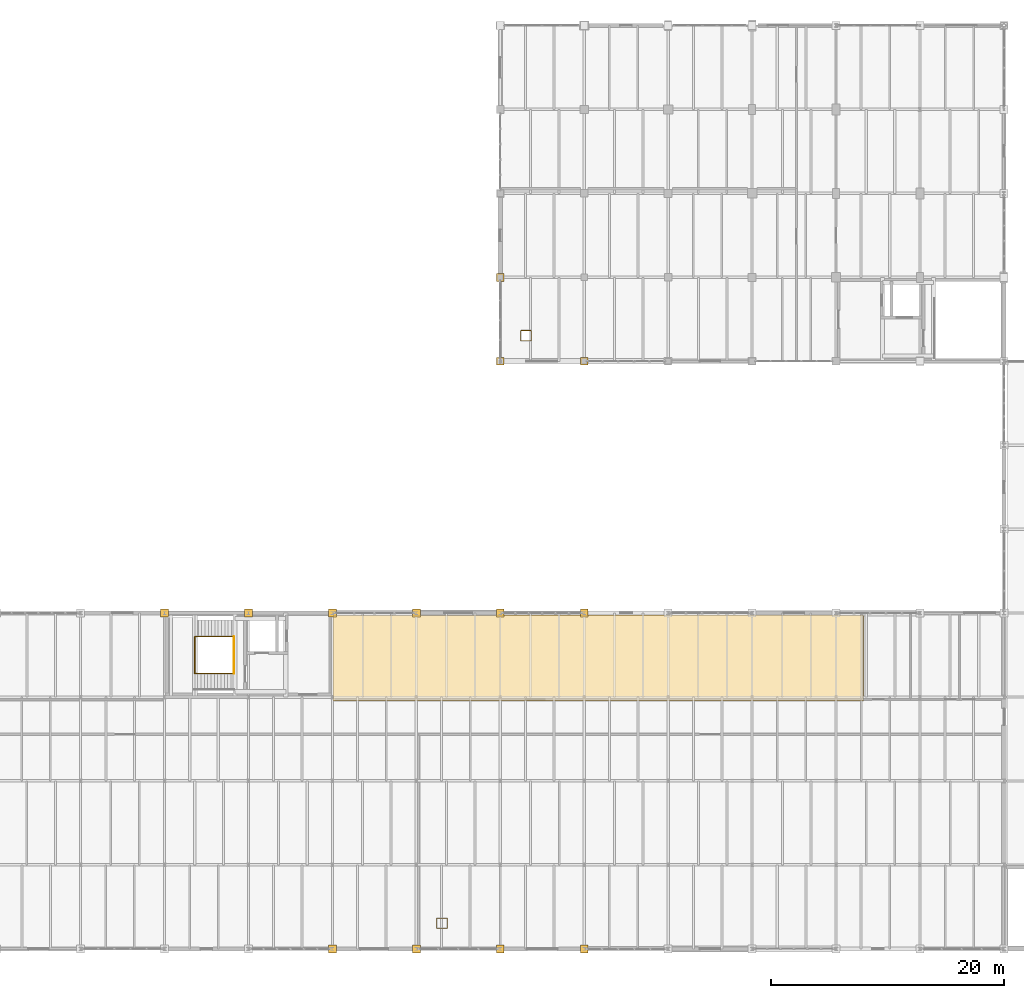
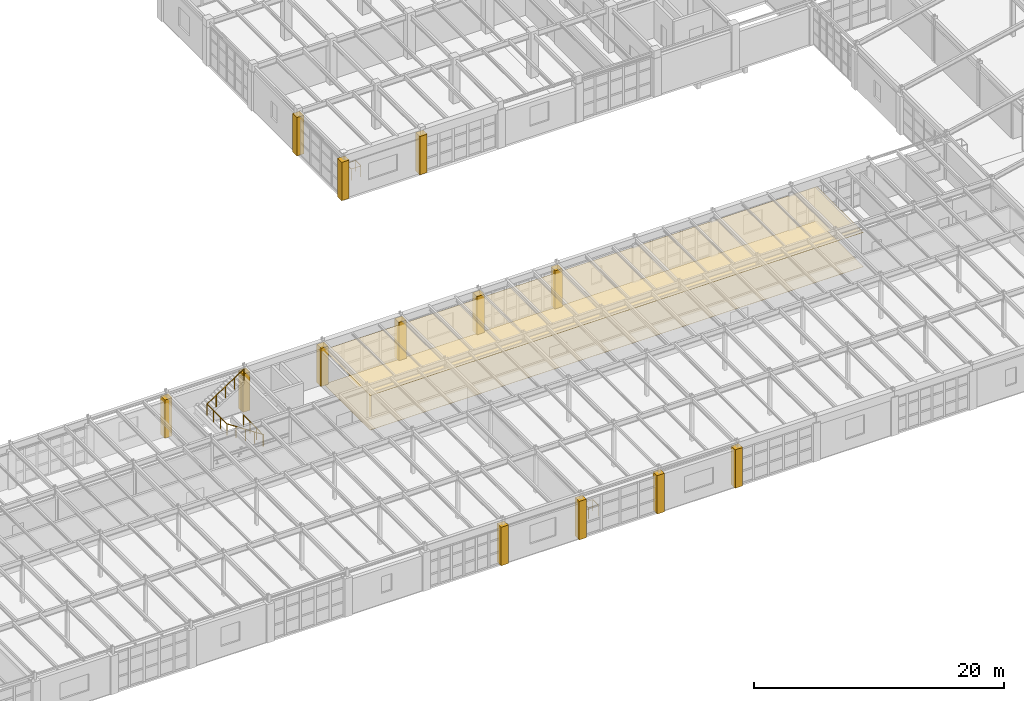
# One storey, part 135 of 137: 15 coverings, 4 railings.
"""IFC4 building model written with IfcOpenShell, lengths in metres."""

from ifc_helpers import new_model, si_unit, direction, frame, origin, origin_2d, place, context, subcontext, project, spatial, polyline, circle, outline, extrude, material, layer, layer_set, type_object, element, save


model = new_model("IFC4")

# Units and contexts
model_context = context("Model", 3, precision=1e-05, world=origin(), true_north=direction((0.0, 1.0)))
body_context = subcontext(model_context, "Body", "Model", "MODEL_VIEW")
ifc_project = project(units=[si_unit("LENGTHUNIT", "METRE"), si_unit("AREAUNIT", "SQUARE_METRE"), si_unit("VOLUMEUNIT", "CUBIC_METRE"), si_unit("PLANEANGLEUNIT", "RADIAN"), si_unit("MASSUNIT", "GRAM", prefix="KILO")], contexts=[model_context])

# Site, building, storey
site_placement = place(None, origin())
site = spatial("IfcSite", under=ifc_project, at=site_placement, CompositionType="ELEMENT")
building_placement = place(site_placement, origin())
building = spatial("IfcBuilding", under=site, at=building_placement, Name="Kemerveld Promenade Tramway Depot", CompositionType="ELEMENT")
storey_placement = place(building_placement, frame((0.0, 0.0, 5.39990234375)))
storey = spatial("IfcBuildingStorey", under=building, at=storey_placement, Name="L01", CompositionType="ELEMENT", Elevation=5.39990234375)

# Coverings
ifc_material_1 = material(Name="Perforated mineral-fibre acoustic ceiling")
ifc_layer_1 = layer(ifc_material_1, 0.02490234375)
ifc_layer_set_1 = layer_set([ifc_layer_1], Name="COV-CEIL-AC")
covering_type_1 = type_object("IfcCoveringType", Name="COV-CEIL-AC", PredefinedType="CEILING", material=ifc_layer_set_1)
covering_1_placement = place(storey_placement, frame((0.0, 0.0, 3.35498046875)))
element("IfcCovering", 1, at=covering_1_placement, inside=storey, type_object=covering_type_1, Name="CEIL-RM-L01-V4-LNG", PredefinedType="CEILING", context=body_context, shape_type="SweptSolid", body=[
    extrude(outline(polyline([(100.85009765625, 21.25), (146.35009765625, 21.25), (146.35009765625, 28.64990234375), (100.85009765625, 28.64990234375), (100.85009765625, 21.25)])), origin(), (0.0, 0.0, 1.0), 0.025146484375),
])
ifc_material_2 = material(Name="Dressed Harare granite ashlar cladding", Category="masonry")
ifc_layer_2 = layer(ifc_material_2, 0.050048828125)
ifc_layer_set_2 = layer_set([ifc_layer_2], Name="COV-CLAD-GRAN")
covering_type_2 = type_object("IfcCoveringType", Name="COV-CLAD-GRAN", PredefinedType="CLADDING", material=ifc_layer_set_2)
covering_2_placement = place(storey_placement, origin())
element("IfcCovering", 2, at=covering_2_placement, inside=storey, type_object=covering_type_2, Name="CLAD-PIER-L01-225", PredefinedType="CLADDING", context=body_context, shape_type="SweptSolid", body=[
    extrude(outline(polyline([(122.06005859375, -0.340087890625), (122.739990234375, -0.340087890625), (122.739990234375, 0.340087890625), (122.06005859375, 0.340087890625), (122.06005859375, -0.340087890625)])), origin(), (0.0, 0.0, 1.0), 3.75),
])
covering_3_placement = place(storey_placement, origin())
element("IfcCovering", 3, at=covering_3_placement, inside=storey, type_object=covering_type_2, Name="CLAD-PIER-L01-226", PredefinedType="CLADDING", context=body_context, shape_type="SweptSolid", body=[
    extrude(outline(polyline([(114.860107421875, -0.340087890625), (115.5400390625, -0.340087890625), (115.5400390625, 0.340087890625), (114.860107421875, 0.340087890625), (114.860107421875, -0.340087890625)])), origin(), (0.0, 0.0, 1.0), 3.75),
])
covering_4_placement = place(storey_placement, origin())
element("IfcCovering", 4, at=covering_4_placement, inside=storey, type_object=covering_type_2, Name="CLAD-PIER-L01-227", PredefinedType="CLADDING", context=body_context, shape_type="SweptSolid", body=[
    extrude(outline(polyline([(107.659912109375, -0.340087890625), (108.340087890625, -0.340087890625), (108.340087890625, 0.340087890625), (107.659912109375, 0.340087890625), (107.659912109375, -0.340087890625)])), origin(), (0.0, 0.0, 1.0), 3.75),
])
covering_5_placement = place(storey_placement, origin())
element("IfcCovering", 5, at=covering_5_placement, inside=storey, type_object=covering_type_2, Name="CLAD-PIER-L01-228", PredefinedType="CLADDING", context=body_context, shape_type="SweptSolid", body=[
    extrude(outline(polyline([(100.4599609375, -0.340087890625), (101.139892578125, -0.340087890625), (101.139892578125, 0.340087890625), (100.4599609375, 0.340087890625), (100.4599609375, -0.340087890625)])), origin(), (0.0, 0.0, 1.0), 3.75),
])
covering_6_placement = place(storey_placement, origin())
element("IfcCovering", 6, at=covering_6_placement, inside=storey, type_object=covering_type_2, Name="CLAD-PIER-L01-238", PredefinedType="CLADDING", context=body_context, shape_type="SweptSolid", body=[
    extrude(outline(polyline([(86.06005859375, 28.4599609375), (86.739990234375, 28.4599609375), (86.739990234375, 29.139892578125), (86.06005859375, 29.139892578125), (86.06005859375, 28.4599609375)])), origin(), (0.0, 0.0, 1.0), 3.75),
])
covering_7_placement = place(storey_placement, origin())
element("IfcCovering", 7, at=covering_7_placement, inside=storey, type_object=covering_type_2, Name="CLAD-PIER-L01-239", PredefinedType="CLADDING", context=body_context, shape_type="SweptSolid", body=[
    extrude(outline(polyline([(93.260009765625, 28.4599609375), (93.93994140625, 28.4599609375), (93.93994140625, 29.139892578125), (93.260009765625, 29.139892578125), (93.260009765625, 28.4599609375)])), origin(), (0.0, 0.0, 1.0), 3.75),
])
covering_8_placement = place(storey_placement, origin())
element("IfcCovering", 8, at=covering_8_placement, inside=storey, type_object=covering_type_2, Name="CLAD-PIER-L01-240", PredefinedType="CLADDING", context=body_context, shape_type="SweptSolid", body=[
    extrude(outline(polyline([(100.4599609375, 28.4599609375), (101.139892578125, 28.4599609375), (101.139892578125, 29.139892578125), (100.4599609375, 29.139892578125), (100.4599609375, 28.4599609375)])), origin(), (0.0, 0.0, 1.0), 3.75),
])
covering_9_placement = place(storey_placement, origin())
element("IfcCovering", 9, at=covering_9_placement, inside=storey, type_object=covering_type_2, Name="CLAD-PIER-L01-241", PredefinedType="CLADDING", context=body_context, shape_type="SweptSolid", body=[
    extrude(outline(polyline([(107.659912109375, 28.4599609375), (108.340087890625, 28.4599609375), (108.340087890625, 29.139892578125), (107.659912109375, 29.139892578125), (107.659912109375, 28.4599609375)])), origin(), (0.0, 0.0, 1.0), 3.75),
])
covering_10_placement = place(storey_placement, origin())
element("IfcCovering", 10, at=covering_10_placement, inside=storey, type_object=covering_type_2, Name="CLAD-PIER-L01-242", PredefinedType="CLADDING", context=body_context, shape_type="SweptSolid", body=[
    extrude(outline(polyline([(114.860107421875, 28.4599609375), (115.5400390625, 28.4599609375), (115.5400390625, 29.139892578125), (114.860107421875, 29.139892578125), (114.860107421875, 28.4599609375)])), origin(), (0.0, 0.0, 1.0), 3.75),
])
covering_11_placement = place(storey_placement, origin())
element("IfcCovering", 11, at=covering_11_placement, inside=storey, type_object=covering_type_2, Name="CLAD-PIER-L01-243", PredefinedType="CLADDING", context=body_context, shape_type="SweptSolid", body=[
    extrude(outline(polyline([(122.06005859375, 28.4599609375), (122.739990234375, 28.4599609375), (122.739990234375, 29.139892578125), (122.06005859375, 29.139892578125), (122.06005859375, 28.4599609375)])), origin(), (0.0, 0.0, 1.0), 3.75),
])
covering_12_placement = place(storey_placement, origin())
element("IfcCovering", 12, at=covering_12_placement, inside=storey, type_object=covering_type_2, Name="CLAD-PIER-L01-249", PredefinedType="CLADDING", context=body_context, shape_type="SweptSolid", body=[
    extrude(outline(polyline([(114.860107421875, 57.260009765625), (115.5400390625, 57.260009765625), (115.5400390625, 57.93994140625), (114.860107421875, 57.93994140625), (114.860107421875, 57.260009765625)])), origin(), (0.0, 0.0, 1.0), 3.75),
])
covering_13_placement = place(storey_placement, origin())
element("IfcCovering", 13, at=covering_13_placement, inside=storey, type_object=covering_type_2, Name="CLAD-PIER-L01-267", PredefinedType="CLADDING", context=body_context, shape_type="SweptSolid", body=[
    extrude(outline(polyline([(122.06005859375, 50.06005859375), (122.739990234375, 50.06005859375), (122.739990234375, 50.739990234375), (122.06005859375, 50.739990234375), (122.06005859375, 50.06005859375)])), origin(), (0.0, 0.0, 1.0), 3.75),
])
covering_14_placement = place(storey_placement, origin())
element("IfcCovering", 14, at=covering_14_placement, inside=storey, type_object=covering_type_2, Name="CLAD-PIER-L01-268", PredefinedType="CLADDING", context=body_context, shape_type="SweptSolid", body=[
    extrude(outline(polyline([(114.860107421875, 50.06005859375), (115.5400390625, 50.06005859375), (115.5400390625, 50.739990234375), (114.860107421875, 50.739990234375), (114.860107421875, 50.06005859375)])), origin(), (0.0, 0.0, 1.0), 3.75),
])
ifc_material_3 = material(Name="Honed Harare granite terrazzo flooring", Category="masonry")
ifc_layer_3 = layer(ifc_material_3, 0.02001953125)
ifc_layer_set_3 = layer_set([ifc_layer_3], Name="COV-FLR-TERR")
covering_type_3 = type_object("IfcCoveringType", Name="COV-FLR-TERR", PredefinedType="FLOORING", material=ifc_layer_set_3)
covering_15_placement = place(storey_placement, origin())
element("IfcCovering", 15, at=covering_15_placement, inside=storey, type_object=covering_type_3, Name="FLR-RM-L01-V4-LNG", PredefinedType="FLOORING", context=body_context, shape_type="SweptSolid", body=[
    extrude(outline(polyline([(100.85009765625, 21.25), (146.35009765625, 21.25), (146.35009765625, 28.64990234375), (100.85009765625, 28.64990234375), (100.85009765625, 21.25)])), origin(), (0.0, 0.0, 1.0), 0.02001953125),
])

# Railings
ifc_material_4 = material(Name="Galvanised painted steel balustrade", Category="steel")
railing_type = type_object("IfcRailingType", Name="RL-GRD-1100", PredefinedType="GUARDRAIL", material=ifc_material_4)
railing_1_placement = place(storey_placement, frame((92.3798828125, 23.614990234375, 0.0)))
element("IfcRailing", 16, at=railing_1_placement, inside=storey, type_object=railing_type, Name="RL-GRD-ST-04-L01", PredefinedType="GUARDRAIL", context=body_context, shape_type="SweptSolid", body=[
    extrude(circle(Radius=0.02392578125, at=origin_2d()), frame((0.0, 0.0, 1.09619140625), z_axis=(-0.833174834292, 0.0, 0.553009670352), x_axis=(0.0, -1.0, 0.0)), (0.0, 0.0, 1.0), 4.068603515625),
    extrude(circle(Radius=0.02392578125, at=origin_2d()), frame((-3.389892578125, 0.0, 3.34619140625), z_axis=(0.0, 1.0, 0.0), x_axis=(-1.0, 0.0, 0.0)), (0.0, 0.0, 1.0), 3.169921875),
    extrude(circle(Radius=0.02392578125, at=origin_2d()), frame((-3.389892578125, 3.169921875, 3.34619140625), z_axis=(0.833174834292, 0.0, 0.553009670352), x_axis=(0.0, 1.0, 0.0)), (0.0, 0.0, 1.0), 4.068603515625),
    extrude(circle(Radius=0.02099609375, at=origin_2d()), origin(), (0.0, 0.0, 1.0), 1.072021484375),
    extrude(circle(Radius=0.02099609375, at=origin_2d()), frame((-0.847412109375, 0.0, 0.5625)), (0.0, 0.0, 1.0), 1.072021484375),
    extrude(circle(Radius=0.02099609375, at=origin_2d()), frame((-1.69482421875, 0.0, 1.125)), (0.0, 0.0, 1.0), 1.072021484375),
    extrude(circle(Radius=0.02099609375, at=origin_2d()), frame((-2.54248046875, 0.0, 1.6875)), (0.0, 0.0, 1.0), 1.072021484375),
    extrude(circle(Radius=0.02099609375, at=origin_2d()), frame((-3.389892578125, 0.0, 2.25)), (0.0, 0.0, 1.0), 1.072021484375),
    extrude(circle(Radius=0.02099609375, at=origin_2d()), frame((-3.389892578125, 1.056640625, 2.25)), (0.0, 0.0, 1.0), 1.072021484375),
    extrude(circle(Radius=0.02099609375, at=origin_2d()), frame((-3.389892578125, 2.11328125, 2.25)), (0.0, 0.0, 1.0), 1.072021484375),
    extrude(circle(Radius=0.02099609375, at=origin_2d()), frame((-3.389892578125, 3.169921875, 2.25)), (0.0, 0.0, 1.0), 1.072021484375),
    extrude(circle(Radius=0.02099609375, at=origin_2d()), frame((-2.54248046875, 3.169921875, 2.8125)), (0.0, 0.0, 1.0), 1.072021484375),
    extrude(circle(Radius=0.02099609375, at=origin_2d()), frame((-1.69482421875, 3.169921875, 3.375)), (0.0, 0.0, 1.0), 1.072021484375),
    extrude(circle(Radius=0.02099609375, at=origin_2d()), frame((-0.847412109375, 3.169921875, 3.9375)), (0.0, 0.0, 1.0), 1.072021484375),
    extrude(circle(Radius=0.02099609375, at=origin_2d()), frame((0.0, 3.169921875, 4.5)), (0.0, 0.0, 1.0), 1.072021484375),
])
railing_2_placement = place(storey_placement, frame((92.35009765625, 23.625, 0.0)))
element("IfcRailing", 17, at=railing_2_placement, inside=storey, type_object=railing_type, Name="RL-SLOT-C4-L01", PredefinedType="GUARDRAIL", context=body_context, shape_type="SweptSolid", body=[
    extrude(circle(Radius=0.02392578125, at=origin_2d()), frame((0.0, 0.0, 1.09619140625), z_axis=(0.0, 1.0, 0.0), x_axis=(-1.0, 0.0, 0.0)), (0.0, 0.0, 1.0), 3.14990234375),
    extrude(circle(Radius=0.02099609375, at=origin_2d()), origin(), (0.0, 0.0, 1.0), 1.072021484375),
    extrude(circle(Radius=0.02099609375, at=origin_2d()), frame((0.0, 1.050048828125, 0.0)), (0.0, 0.0, 1.0), 1.072021484375),
    extrude(circle(Radius=0.02099609375, at=origin_2d()), frame((0.0, 2.099853515625, 0.0)), (0.0, 0.0, 1.0), 1.072021484375),
    extrude(circle(Radius=0.02099609375, at=origin_2d()), frame((0.0, 3.14990234375, 0.0)), (0.0, 0.0, 1.0), 1.072021484375),
])
railing_3_placement = place(storey_placement, frame((109.760009765625, 1.760009765625, 0.0)))
element("IfcRailing", 18, at=railing_3_placement, inside=storey, type_object=railing_type, Name="RL-DUCT-L01-02", PredefinedType="GUARDRAIL", context=body_context, shape_type="SweptSolid", body=[
    extrude(circle(Radius=0.02392578125, at=origin_2d()), frame((0.0, 0.0, 1.09619140625), z_axis=(1.0, 0.0, 0.0), x_axis=(0.0, 1.0, 0.0)), (0.0, 0.0, 1.0), 0.8798828125),
    extrude(circle(Radius=0.02392578125, at=origin_2d()), frame((0.8798828125, 0.0, 1.09619140625), z_axis=(0.0, 1.0, 0.0), x_axis=(-1.0, 0.0, 0.0)), (0.0, 0.0, 1.0), 0.8798828125),
    extrude(circle(Radius=0.02392578125, at=origin_2d()), frame((0.8798828125, 0.8798828125, 1.09619140625), z_axis=(-1.0, 0.0, 0.0), x_axis=(0.0, -1.0, 0.0)), (0.0, 0.0, 1.0), 0.8798828125),
    extrude(circle(Radius=0.02392578125, at=origin_2d()), frame((0.0, 0.8798828125, 1.09619140625), z_axis=(0.0, -1.0, 0.0), x_axis=(1.0, 0.0, 0.0)), (0.0, 0.0, 1.0), 0.81982421875),
    extrude(circle(Radius=0.02099609375, at=origin_2d()), origin(), (0.0, 0.0, 1.0), 1.072021484375),
    extrude(circle(Radius=0.02099609375, at=origin_2d()), frame((0.8798828125, 0.0, 0.0)), (0.0, 0.0, 1.0), 1.072021484375),
    extrude(circle(Radius=0.02099609375, at=origin_2d()), frame((0.8798828125, 0.8798828125, 0.0)), (0.0, 0.0, 1.0), 1.072021484375),
    extrude(circle(Radius=0.02099609375, at=origin_2d()), frame((0.0, 0.8798828125, 0.0)), (0.0, 0.0, 1.0), 1.072021484375),
    extrude(circle(Radius=0.02099609375, at=origin_2d()), frame((0.0, 0.06005859375, 0.0)), (0.0, 0.0, 1.0), 1.072021484375),
])
railing_4_placement = place(storey_placement, frame((116.9599609375, 52.159912109375, 0.0)))
element("IfcRailing", 19, at=railing_4_placement, inside=storey, type_object=railing_type, Name="RL-DUCT-L01-03", PredefinedType="GUARDRAIL", context=body_context, shape_type="SweptSolid", body=[
    extrude(circle(Radius=0.02392578125, at=origin_2d()), frame((0.0, 0.0, 1.09619140625), z_axis=(1.0, 0.0, 0.0), x_axis=(0.0, 1.0, 0.0)), (0.0, 0.0, 1.0), 0.880126953125),
    extrude(circle(Radius=0.02392578125, at=origin_2d()), frame((0.880126953125, 0.0, 1.09619140625), z_axis=(0.0, 1.0, 0.0), x_axis=(-1.0, 0.0, 0.0)), (0.0, 0.0, 1.0), 0.880126953125),
    extrude(circle(Radius=0.02392578125, at=origin_2d()), frame((0.880126953125, 0.880126953125, 1.09619140625), z_axis=(-1.0, 0.0, 0.0), x_axis=(0.0, -1.0, 0.0)), (0.0, 0.0, 1.0), 0.880126953125),
    extrude(circle(Radius=0.02392578125, at=origin_2d()), frame((0.0, 0.880126953125, 1.09619140625), z_axis=(0.0, -1.0, 0.0), x_axis=(1.0, 0.0, 0.0)), (0.0, 0.0, 1.0), 0.820068359375),
    extrude(circle(Radius=0.02099609375, at=origin_2d()), origin(), (0.0, 0.0, 1.0), 1.072021484375),
    extrude(circle(Radius=0.02099609375, at=origin_2d()), frame((0.880126953125, 0.0, 0.0)), (0.0, 0.0, 1.0), 1.072021484375),
    extrude(circle(Radius=0.02099609375, at=origin_2d()), frame((0.880126953125, 0.880126953125, 0.0)), (0.0, 0.0, 1.0), 1.072021484375),
    extrude(circle(Radius=0.02099609375, at=origin_2d()), frame((0.0, 0.880126953125, 0.0)), (0.0, 0.0, 1.0), 1.072021484375),
    extrude(circle(Radius=0.02099609375, at=origin_2d()), frame((0.0, 0.06005859375, 0.0)), (0.0, 0.0, 1.0), 1.072021484375),
])

save(model, "model.ifc")
